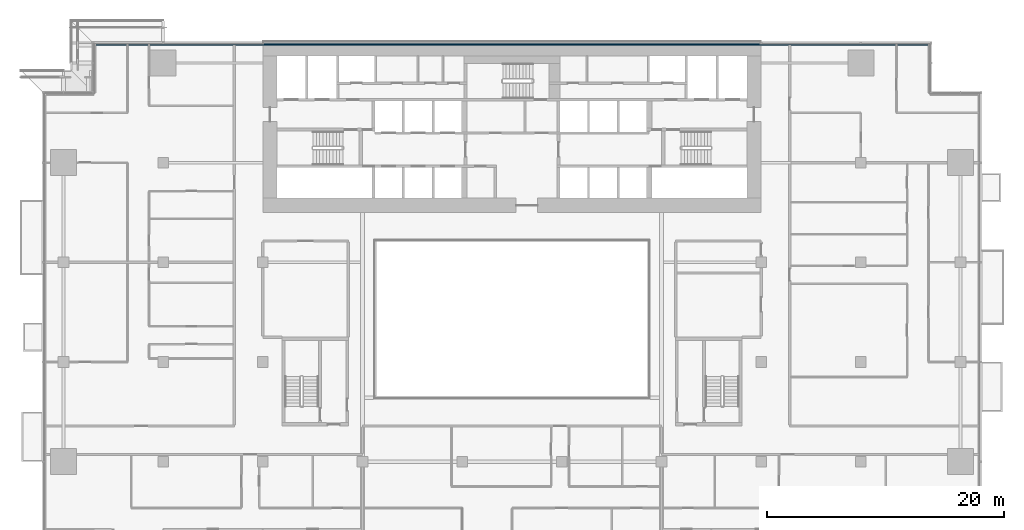
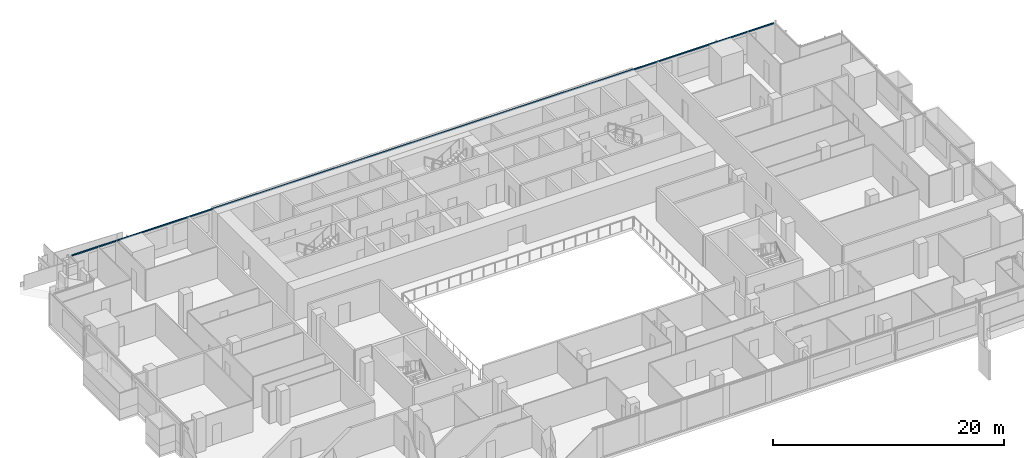
# One storey, part 9 of 29: 1 member, 1 element without a shape of its own.
"""IFC4 building model written with IfcOpenShell, lengths in metres."""

from ifc_helpers import new_model, si_unit, direction, frame, origin, origin_2d, place, context, subcontext, project, spatial, rectangle, extrude, material, material_profile, profile_set, type_object, element, aggregate, save


model = new_model("IFC4")

# Units and contexts
model_context = context("Model", 3, precision=1e-05, world=origin(), true_north=direction((0.0, 1.0)))
body_context = subcontext(model_context, "Body", "Model", "MODEL_VIEW")
ifc_project = project(units=[si_unit("LENGTHUNIT", "METRE"), si_unit("AREAUNIT", "SQUARE_METRE"), si_unit("VOLUMEUNIT", "CUBIC_METRE"), si_unit("PLANEANGLEUNIT", "RADIAN"), si_unit("MASSUNIT", "GRAM", prefix="KILO")], contexts=[model_context])

# Site, building, storey
site_placement = place(None, origin())
site = spatial("IfcSite", under=ifc_project, at=site_placement, CompositionType="ELEMENT")
building_placement = place(site_placement, origin())
building = spatial("IfcBuilding", under=site, at=building_placement, Name="Saffron Gate Tower", CompositionType="ELEMENT")
storey_placement = place(building_placement, frame((0.0, 0.0, 48.0)))
storey = spatial("IfcBuildingStorey", under=building, at=storey_placement, Name="L10", CompositionType="ELEMENT", Elevation=48.0)

# Curtain wall, member
ifc_material = material(Name="Aluminium, bronze anodised", Category="aluminium")
curtain_wall_type = type_object("IfcCurtainWallType", Name="CWS3 curtain wall rear facade", PredefinedType="NOTDEFINED", material=ifc_material)
curtain_wall_placement = place(storey_placement, origin())
curtain_wall = element("IfcCurtainWall", 1, at=curtain_wall_placement, inside=storey, type_object=curtain_wall_type, Name="CWS3 run 7", PredefinedType="NOTDEFINED")
ifc_material_profile = material_profile(ifc_material, rectangle(XDim=0.1201171875, YDim=0.1201171875, at=origin_2d()))
ifc_profile_set = profile_set([ifc_material_profile], Name="Aluminium, bronze anodised")
member_type = type_object("IfcMemberType", Name="CWS3 head transom", PredefinedType="USERDEFINED", material=ifc_profile_set)
member_placement = place(storey_placement, frame((122.632080078125, 75.35205078125, 3.260009765625), z_axis=(-1.0, 0.0, 0.0), x_axis=(0.0, -1.0, 0.0)))
member = element("IfcMember", 2, at=member_placement, type_object=member_type, Name="CWS3 head transom", ObjectType="TRANSOM", PredefinedType="USERDEFINED", context=body_context, shape_type="SweptSolid", body=[
    extrude(rectangle(XDim=0.1201171875, YDim=0.1201171875, at=origin_2d()), origin(), (0.0, 0.0, 1.0), 70.06396484375),
])
aggregate(curtain_wall, [member])

save(model, "model.ifc")
